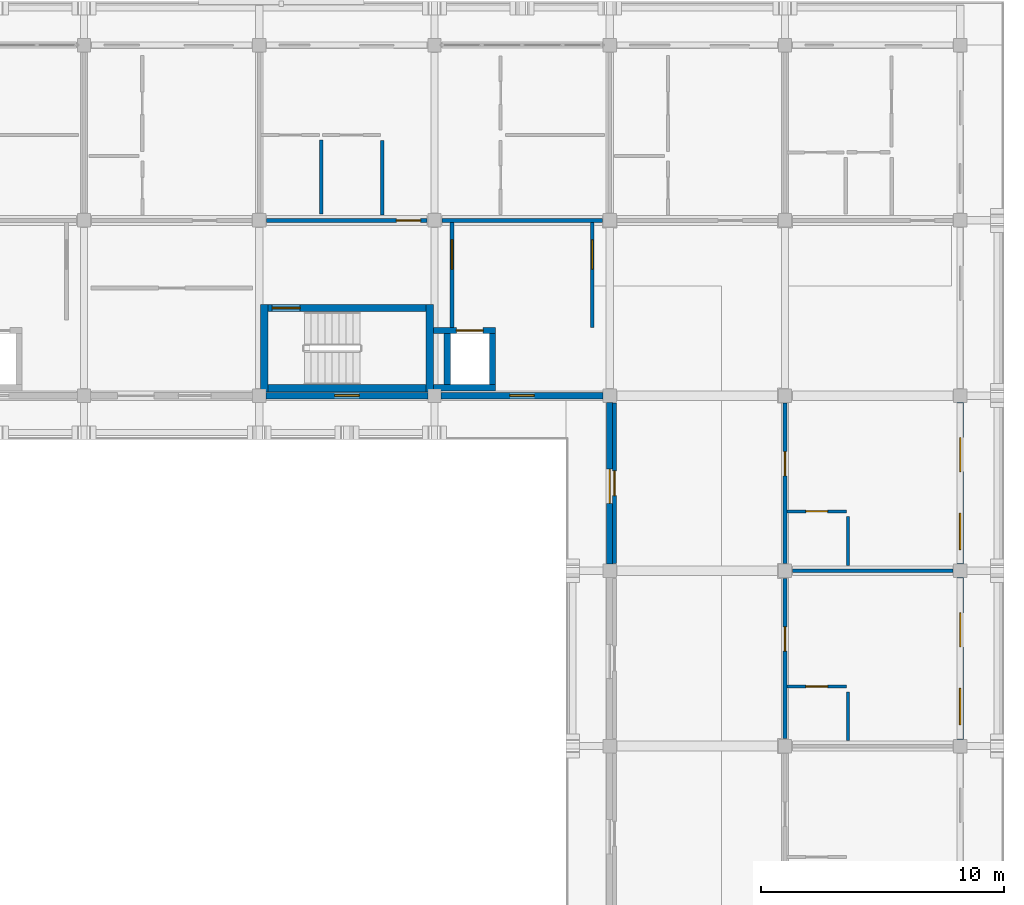
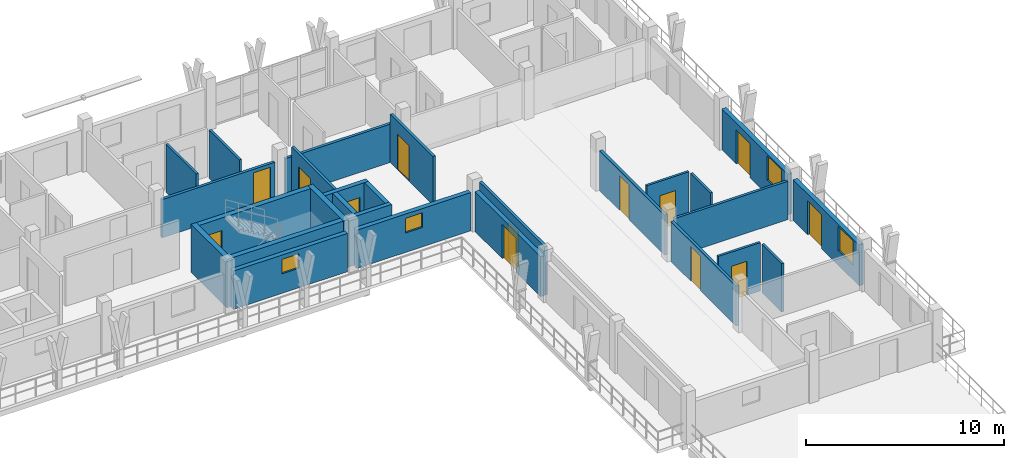
# One storey, part 51 of 73: 27 walls, 13 doors, 4 windows, 17 openings.
"""IFC4 building model written with IfcOpenShell, lengths in metres."""

from ifc_helpers import new_model, si_unit, direction, frame, frame_2d, origin, place, context, subcontext, project, spatial, rectangle, extrude, material, layer, layer_set, type_object, element, fill, save


model = new_model("IFC4")

# Units and contexts
model_context = context("Model", 3, precision=1e-05, world=origin(), true_north=direction((0.0, 1.0)))
body_context = subcontext(model_context, "Body", "Model", "MODEL_VIEW")
ifc_project = project(units=[si_unit("LENGTHUNIT", "METRE"), si_unit("AREAUNIT", "SQUARE_METRE"), si_unit("VOLUMEUNIT", "CUBIC_METRE"), si_unit("PLANEANGLEUNIT", "RADIAN"), si_unit("MASSUNIT", "GRAM", prefix="KILO")], contexts=[model_context])

# Site, building, storey
site_placement = place(None, origin())
site = spatial("IfcSite", under=ifc_project, at=site_placement, CompositionType="ELEMENT")
building_placement = place(site_placement, origin())
building = spatial("IfcBuilding", under=site, at=building_placement, Name="Suanplinth Sawtooth Commons", CompositionType="ELEMENT")
storey_placement = place(building_placement, frame((0.0, 0.0, 21.89990234375)))
storey = spatial("IfcBuildingStorey", under=building, at=storey_placement, Name="L06", CompositionType="ELEMENT", Elevation=21.89990234375)

# Wall
ifc_material_1 = material(Name="Concrete C40/50", Category="concrete")
ifc_layer_1 = layer(ifc_material_1, 0.300048828125, Name="Standard RC stair and lift core wall 300mm")
ifc_layer_set_1 = layer_set([ifc_layer_1], Name="Concrete C40/50")
wall_type_1 = type_object("IfcWallType", Name="W-CR02", PredefinedType="SHEAR", material=ifc_layer_set_1)
wall_1_placement = place(storey_placement, frame((158.75, 108.300048828125, 0.0), z_axis=(0.0, 0.0, 1.0), x_axis=(1.0, 0.0, 0.0)))
element("IfcWall", 1, at=wall_1_placement, inside=storey, type_object=wall_type_1, Name="W-L06-C-B2-STS", PredefinedType="SHEAR", context=body_context, shape_type="SweptSolid", body=[
    extrude(rectangle(XDim=6.5, YDim=0.300048828125, at=frame_2d((3.25, 0.0))), origin(), (0.0, 0.0, 1.0), 2.97998046875),
])

# Wall, opening, door
wall_2_placement = place(storey_placement, frame((158.75, 111.60009765625, 0.0), z_axis=(0.0, 0.0, 1.0), x_axis=(1.0, 0.0, 0.0)))
wall_2 = element("IfcWall", 2, at=wall_2_placement, inside=storey, type_object=wall_type_1, Name="W-L06-C-B2-STN", PredefinedType="SHEAR", context=body_context, shape_type="SweptSolid", body=[
    extrude(rectangle(XDim=6.5, YDim=0.300048828125, at=frame_2d((3.25, 0.0))), origin(), (0.0, 0.0, 1.0), 2.97998046875),
])
opening_1_placement = place(wall_2_placement, frame((0.179931640625, 0.0, 0.0)))
opening_1 = element("IfcOpeningElement", 3, at=opening_1_placement, cuts=wall_2, Name="Opening FD0248", PredefinedType="OPENING", context=body_context, shape_type="SweptSolid", body=[
    extrude(rectangle(XDim=1.14990234375, YDim=2.199951171875, at=frame_2d((0.574951171875, 1.10009765625))), frame((0.0, 0.1650390625, 0.0), z_axis=(0.0, -1.0, 0.0), x_axis=(1.0, 0.0, 0.0)), (0.0, 0.0, 1.0), 0.329833984375),
])
ifc_material_2 = material(Name="Teak hardwood fire-rated door assembly", Category="wood")
door_type_1 = type_object("IfcDoorType", Name="FD-01", OperationType="NOTDEFINED", PredefinedType="DOOR", material=ifc_material_2)
door_1_placement = place(opening_1_placement, frame((1.14990234375, 0.0, 0.0), z_axis=(0.0, 0.0, 1.0), x_axis=(-1.0, 0.0, 0.0)))
door_1 = element("IfcDoor", 4, at=door_1_placement, inside=storey, type_object=door_type_1, Name="Exit Stair Fire Door FD0248", OperationType="SINGLE_SWING_RIGHT", OverallHeight=2.199951171875, OverallWidth=1.14990234375, PredefinedType="DOOR", context=body_context, shape_type="SweptSolid", body=[
    extrude(rectangle(XDim=1.14990234375, YDim=2.199951171875, at=frame_2d((0.574951171875, 1.10009765625))), frame((0.0, 0.02490234375, 0.0), z_axis=(0.0, -1.0, 0.0), x_axis=(1.0, 0.0, 0.0)), (0.0, 0.0, 1.0), 0.050048828125),
])
fill(opening_1, door_1)

# Walls
for number, where, z_axis, x_axis, name in (
    (5, (158.60009765625, 108.14990234375, 0.0), (0.0, 0.0, 1.0), (0.0, 1.0, 0.0), "W-L06-C-B2-STW"),
    (6, (165.39990234375, 108.14990234375, 0.0), (0.0, 0.0, 1.0), (0.0, 1.0, 0.0), "W-L06-C-B2-STE"),
):
    element("IfcWall", number, at=place(storey_placement, frame(where, z_axis=z_axis, x_axis=x_axis)), inside=storey, type_object=wall_type_1, Name=name, PredefinedType="SHEAR", context=body_context, shape_type="SweptSolid", body=[
        extrude(rectangle(XDim=3.60009765625, YDim=0.300048828125, at=frame_2d((1.800048828125, 0.0))), origin(), (0.0, 0.0, 1.0), 2.97998046875),
    ])

# Wall, opening, window
ifc_material_3 = material(Name="Precast concrete C40/50", Category="concrete")
ifc_layer_2 = layer(ifc_material_3, 0.260009765625, Name="Insulated precast courtyard facade wall 260mm")
ifc_layer_set_2 = layer_set([ifc_layer_2], Name="Precast concrete C40/50")
wall_type_2 = type_object("IfcWallType", Name="W-EX02", PredefinedType="ELEMENTEDWALL", material=ifc_layer_set_2)
wall_3_placement = place(storey_placement, frame((158.675048828125, 108.0, 0.0), z_axis=(0.0, 0.0, 1.0), x_axis=(1.0, 0.0, 0.0)))
wall_3 = element("IfcWall", 7, at=wall_3_placement, inside=storey, type_object=wall_type_2, Name="Facade Wall W-L06-B-S-22-15", PredefinedType="ELEMENTEDWALL", context=body_context, shape_type="SweptSolid", body=[
    extrude(rectangle(XDim=6.64990234375, YDim=0.260009765625, at=frame_2d((3.324951171875, 0.0))), origin(), (0.0, 0.0, 1.0), 2.364990234375),
])
opening_2_placement = place(wall_3_placement, frame((2.824951171875, 0.0, 1.199951171875)))
opening_2 = element("IfcOpeningElement", 8, at=opening_2_placement, cuts=wall_3, Name="Opening W0592", PredefinedType="OPENING", context=body_context, shape_type="SweptSolid", body=[
    extrude(rectangle(XDim=1.0, YDim=0.89990234375, at=frame_2d((0.5, 0.449951171875))), frame((0.0, 0.14501953125, 0.0), z_axis=(0.0, -1.0, 0.0), x_axis=(1.0, 0.0, 0.0)), (0.0, 0.0, 1.0), 0.289794921875),
])
ifc_material_4 = material(Name="Thermally broken aluminium and low-E double glazing", Category="aluminium")
window_type_1 = type_object("IfcWindowType", Name="WN-12", PartitioningType="SINGLE_PANEL", PredefinedType="WINDOW", material=ifc_material_4)
window_1_placement = place(opening_2_placement, origin())
window_1 = element("IfcWindow", 9, at=window_1_placement, inside=storey, type_object=window_type_1, Name="Core Daylight Window L06-B-22-15", OverallHeight=0.89990234375, OverallWidth=1.0, PartitioningType="SINGLE_PANEL", PredefinedType="WINDOW", context=body_context, shape_type="SweptSolid", body=[
    extrude(rectangle(XDim=1.0, YDim=0.89990234375, at=frame_2d((0.5, 0.449951171875))), frame((0.0, 0.030029296875, 0.0), z_axis=(0.0, -1.0, 0.0), x_axis=(1.0, 0.0, 0.0)), (0.0, 0.0, 1.0), 0.06005859375),
])
fill(opening_2, window_1)

wall_4_placement = place(storey_placement, frame((165.875, 108.0, 0.0), z_axis=(0.0, 0.0, 1.0), x_axis=(1.0, 0.0, 0.0)))
wall_4 = element("IfcWall", 10, at=wall_4_placement, inside=storey, type_object=wall_type_2, Name="Facade Wall W-L06-B-S-23-15", PredefinedType="ELEMENTEDWALL", context=body_context, shape_type="SweptSolid", body=[
    extrude(rectangle(XDim=6.64990234375, YDim=0.260009765625, at=frame_2d((3.324951171875, 0.0))), origin(), (0.0, 0.0, 1.0), 2.364990234375),
])
opening_3_placement = place(wall_4_placement, frame((2.824951171875, 0.0, 1.199951171875)))
opening_3 = element("IfcOpeningElement", 11, at=opening_3_placement, cuts=wall_4, Name="Opening W0594", PredefinedType="OPENING", context=body_context, shape_type="SweptSolid", body=[
    extrude(rectangle(XDim=1.0, YDim=0.89990234375, at=frame_2d((0.5, 0.449951171875))), frame((0.0, 0.14501953125, 0.0), z_axis=(0.0, -1.0, 0.0), x_axis=(1.0, 0.0, 0.0)), (0.0, 0.0, 1.0), 0.289794921875),
])
window_2_placement = place(opening_3_placement, origin())
window_2 = element("IfcWindow", 12, at=window_2_placement, inside=storey, type_object=window_type_1, Name="Core Daylight Window L06-B-23-15", OverallHeight=0.89990234375, OverallWidth=1.0, PartitioningType="SINGLE_PANEL", PredefinedType="WINDOW", context=body_context, shape_type="SweptSolid", body=[
    extrude(rectangle(XDim=1.0, YDim=0.89990234375, at=frame_2d((0.5, 0.449951171875))), frame((0.0, 0.030029296875, 0.0), z_axis=(0.0, -1.0, 0.0), x_axis=(1.0, 0.0, 0.0)), (0.0, 0.0, 1.0), 0.06005859375),
])
fill(opening_3, window_2)

# Wall, opening, door
wall_5_placement = place(storey_placement, frame((172.800048828125, 101.074951171875, 0.0), z_axis=(0.0, 0.0, 1.0), x_axis=(0.0, 1.0, 0.0)))
wall_5 = element("IfcWall", 13, at=wall_5_placement, inside=storey, type_object=wall_type_2, Name="Facade Wall W-L06-B-W-24-14", PredefinedType="ELEMENTEDWALL", context=body_context, shape_type="SweptSolid", body=[
    extrude(rectangle(XDim=6.650146484375, YDim=0.260009765625, at=frame_2d((3.3251953125, 0.0))), origin(), (0.0, 0.0, 1.0), 2.465087890625),
])
opening_4_placement = place(wall_5_placement, frame((2.5, 0.0, 0.0)))
opening_4 = element("IfcOpeningElement", 14, at=opening_4_placement, cuts=wall_5, Name="Opening ED0508", PredefinedType="OPENING", context=body_context, shape_type="SweptSolid", body=[
    extrude(rectangle(XDim=1.39990234375, YDim=2.10009765625, at=frame_2d((0.699951171875, 1.050048828125))), frame((0.0, 0.14501953125, 0.0), z_axis=(0.0, -1.0, 0.0), x_axis=(1.0, 0.0, 0.0)), (0.0, 0.0, 1.0), 0.289794921875),
])
ifc_material_5 = material(Name="Anodized aluminium and low-E glass", Category="aluminium")
door_type_2 = type_object("IfcDoorType", Name="SD-07", OperationType="SLIDING_TO_RIGHT", PredefinedType="DOOR", material=ifc_material_5)
door_2_placement = place(opening_4_placement, frame((1.39990234375, 0.0, 0.0), z_axis=(0.0, 0.0, 1.0), x_axis=(-1.0, 0.0, 0.0)))
door_2 = element("IfcDoor", 15, at=door_2_placement, inside=storey, type_object=door_type_2, Name="Courtyard Veranda Studio Balcony Door L06-B-14", OperationType="SLIDING_TO_RIGHT", OverallHeight=2.10009765625, OverallWidth=1.39990234375, PredefinedType="DOOR", context=body_context, shape_type="SweptSolid", body=[
    extrude(rectangle(XDim=1.39990234375, YDim=2.10009765625, at=frame_2d((0.699951171875, 1.050048828125))), frame((0.0, 0.02490234375, 0.0), z_axis=(0.0, -1.0, 0.0), x_axis=(1.0, 0.0, 0.0)), (0.0, 0.0, 1.0), 0.050048828125),
])
fill(opening_4, door_2)

# Wall, openings, door, window
wall_6_placement = place(storey_placement, frame((187.199951171875, 93.875, 0.0), z_axis=(0.0, 0.0, 1.0), x_axis=(0.0, 1.0, 0.0)))
wall_6 = element("IfcWall", 16, at=wall_6_placement, inside=storey, type_object=wall_type_2, Name="Facade Wall W-L06-B-E-25-13", PredefinedType="ELEMENTEDWALL", context=body_context, shape_type="SweptSolid", body=[
    extrude(rectangle(XDim=6.64990234375, YDim=0.260009765625, at=frame_2d((3.324951171875, 0.0))), origin(), (0.0, 0.0, 1.0), 2.51513671875),
])
opening_5_placement = place(wall_6_placement, frame((3.800048828125, 0.0, 0.0)))
opening_5 = element("IfcOpeningElement", 17, at=opening_5_placement, cuts=wall_6, Name="Opening ED0512", PredefinedType="OPENING", context=body_context, shape_type="SweptSolid", body=[
    extrude(rectangle(XDim=1.39990234375, YDim=2.10009765625, at=frame_2d((0.699951171875, 1.050048828125))), frame((0.0, 0.14501953125, 0.0), z_axis=(0.0, -1.0, 0.0), x_axis=(1.0, 0.0, 0.0)), (0.0, 0.0, 1.0), 0.289794921875),
])
opening_6_placement = place(wall_6_placement, frame((0.60009765625, 0.0, 0.905029296875)))
opening_6 = element("IfcOpeningElement", 18, at=opening_6_placement, cuts=wall_6, Name="Opening W0598", PredefinedType="OPENING", context=body_context, shape_type="SweptSolid", body=[
    extrude(rectangle(XDim=1.5, YDim=1.5, at=frame_2d((0.75, 0.75))), frame((0.0, 0.14501953125, 0.0), z_axis=(0.0, -1.0, 0.0), x_axis=(1.0, 0.0, 0.0)), (0.0, 0.0, 1.0), 0.289794921875),
])
door_3_placement = place(opening_5_placement, frame((1.39990234375, 0.0, 0.0), z_axis=(0.0, 0.0, 1.0), x_axis=(-1.0, 0.0, 0.0)))
door_3 = element("IfcDoor", 19, at=door_3_placement, inside=storey, type_object=door_type_2, Name="Wing Balcony Sliding Door L06-B-13", OperationType="SLIDING_TO_RIGHT", OverallHeight=2.10009765625, OverallWidth=1.39990234375, PredefinedType="DOOR", context=body_context, shape_type="SweptSolid", body=[
    extrude(rectangle(XDim=1.39990234375, YDim=2.10009765625, at=frame_2d((0.699951171875, 1.050048828125))), frame((0.0, 0.02490234375, 0.0), z_axis=(0.0, -1.0, 0.0), x_axis=(1.0, 0.0, 0.0)), (0.0, 0.0, 1.0), 0.050048828125),
])
fill(opening_5, door_3)
window_type_2 = type_object("IfcWindowType", Name="WN-02", PartitioningType="DOUBLE_PANEL_VERTICAL", PredefinedType="WINDOW", material=ifc_material_4)
window_3_placement = place(opening_6_placement, origin())
window_3 = element("IfcWindow", 20, at=window_3_placement, inside=storey, type_object=window_type_2, Name="Wing Window L06-B-13", OverallHeight=1.5, OverallWidth=1.5, PartitioningType="DOUBLE_PANEL_VERTICAL", PredefinedType="WINDOW", context=body_context, shape_type="SweptSolid", body=[
    extrude(rectangle(XDim=1.5, YDim=1.5, at=frame_2d((0.75, 0.75))), frame((0.0, 0.030029296875, 0.0), z_axis=(0.0, -1.0, 0.0), x_axis=(1.0, 0.0, 0.0)), (0.0, 0.0, 1.0), 0.06005859375),
])
fill(opening_6, window_3)

wall_7_placement = place(storey_placement, frame((187.199951171875, 101.074951171875, 0.0), z_axis=(0.0, 0.0, 1.0), x_axis=(0.0, 1.0, 0.0)))
wall_7 = element("IfcWall", 21, at=wall_7_placement, inside=storey, type_object=wall_type_2, Name="Facade Wall W-L06-B-E-25-14", PredefinedType="ELEMENTEDWALL", context=body_context, shape_type="SweptSolid", body=[
    extrude(rectangle(XDim=6.650146484375, YDim=0.260009765625, at=frame_2d((3.3251953125, 0.0))), origin(), (0.0, 0.0, 1.0), 2.51513671875),
])
opening_7_placement = place(wall_7_placement, frame((3.800048828125, 0.0, 0.0)))
opening_7 = element("IfcOpeningElement", 22, at=opening_7_placement, cuts=wall_7, Name="Opening ED0513", PredefinedType="OPENING", context=body_context, shape_type="SweptSolid", body=[
    extrude(rectangle(XDim=1.39990234375, YDim=2.10009765625, at=frame_2d((0.699951171875, 1.050048828125))), frame((0.0, 0.14501953125, 0.0), z_axis=(0.0, -1.0, 0.0), x_axis=(1.0, 0.0, 0.0)), (0.0, 0.0, 1.0), 0.289794921875),
])
opening_8_placement = place(wall_7_placement, frame((0.60009765625, 0.0, 0.905029296875)))
opening_8 = element("IfcOpeningElement", 23, at=opening_8_placement, cuts=wall_7, Name="Opening W0599", PredefinedType="OPENING", context=body_context, shape_type="SweptSolid", body=[
    extrude(rectangle(XDim=1.5, YDim=1.5, at=frame_2d((0.75, 0.75))), frame((0.0, 0.14501953125, 0.0), z_axis=(0.0, -1.0, 0.0), x_axis=(1.0, 0.0, 0.0)), (0.0, 0.0, 1.0), 0.289794921875),
])
door_4_placement = place(opening_7_placement, frame((1.39990234375, 0.0, 0.0), z_axis=(0.0, 0.0, 1.0), x_axis=(-1.0, 0.0, 0.0)))
door_4 = element("IfcDoor", 24, at=door_4_placement, inside=storey, type_object=door_type_2, Name="Wing Balcony Sliding Door L06-B-14", OperationType="SLIDING_TO_RIGHT", OverallHeight=2.10009765625, OverallWidth=1.39990234375, PredefinedType="DOOR", context=body_context, shape_type="SweptSolid", body=[
    extrude(rectangle(XDim=1.39990234375, YDim=2.10009765625, at=frame_2d((0.699951171875, 1.050048828125))), frame((0.0, 0.02490234375, 0.0), z_axis=(0.0, -1.0, 0.0), x_axis=(1.0, 0.0, 0.0)), (0.0, 0.0, 1.0), 0.050048828125),
])
fill(opening_7, door_4)
window_4_placement = place(opening_8_placement, origin())
window_4 = element("IfcWindow", 25, at=window_4_placement, inside=storey, type_object=window_type_2, Name="Wing Window L06-B-14", OverallHeight=1.5, OverallWidth=1.5, PartitioningType="DOUBLE_PANEL_VERTICAL", PredefinedType="WINDOW", context=body_context, shape_type="SweptSolid", body=[
    extrude(rectangle(XDim=1.5, YDim=1.5, at=frame_2d((0.75, 0.75))), frame((0.0, 0.030029296875, 0.0), z_axis=(0.0, -1.0, 0.0), x_axis=(1.0, 0.0, 0.0)), (0.0, 0.0, 1.0), 0.06005859375),
])
fill(opening_8, window_4)

# Wall, opening, door
ifc_layer_3 = layer(ifc_material_3, 0.159912109375, Name="Fire-rated corridor and lobby wall 160mm")
ifc_layer_set_3 = layer_set([ifc_layer_3], Name="Precast concrete C40/50")
wall_type_3 = type_object("IfcWallType", Name="W-FW01", PredefinedType="PARTITIONING", material=ifc_layer_set_3)
wall_8_placement = place(storey_placement, frame((166.320068359375, 110.800048828125, 0.0), z_axis=(0.0, 0.0, 1.0), x_axis=(0.0, 1.0, 0.0)))
wall_8 = element("IfcWall", 26, at=wall_8_placement, inside=storey, type_object=wall_type_3, Name="W-L06-C-B2-LOB-W", PredefinedType="PARTITIONING", context=body_context, shape_type="SweptSolid", body=[
    extrude(rectangle(XDim=4.320068359375, YDim=0.159912109375, at=frame_2d((2.16015625, 0.0))), origin(), (0.0, 0.0, 1.0), 2.97998046875),
])
opening_9_placement = place(wall_8_placement, frame((2.39990234375, 0.0, 0.0)))
opening_9 = element("IfcOpeningElement", 27, at=opening_9_placement, cuts=wall_8, Name="Opening FD0249", PredefinedType="OPENING", context=body_context, shape_type="SweptSolid", body=[
    extrude(rectangle(XDim=1.199951171875, YDim=2.199951171875, at=frame_2d((0.60009765625, 1.10009765625))), frame((0.0, 0.0947265625, 0.0), z_axis=(0.0, -1.0, 0.0), x_axis=(1.0, 0.0, 0.0)), (0.0, 0.0, 1.0), 0.189697265625),
])
door_type_3 = type_object("IfcDoorType", Name="FD-02", OperationType="NOTDEFINED", PredefinedType="DOOR", material=ifc_material_2)
door_5_placement = place(opening_9_placement, origin())
door_5 = element("IfcDoor", 28, at=door_5_placement, inside=storey, type_object=door_type_3, Name="Lobby Fire Door FD0249", OperationType="SINGLE_SWING_LEFT", OverallHeight=2.199951171875, OverallWidth=1.199951171875, PredefinedType="DOOR", context=body_context, shape_type="SweptSolid", body=[
    extrude(rectangle(XDim=1.199951171875, YDim=2.199951171875, at=frame_2d((0.60009765625, 1.10009765625))), frame((0.0, 0.02490234375, 0.0), z_axis=(0.0, -1.0, 0.0), x_axis=(1.0, 0.0, 0.0)), (0.0, 0.0, 1.0), 0.050048828125),
])
fill(opening_9, door_5)

wall_9_placement = place(storey_placement, frame((172.080078125, 110.800048828125, 0.0), z_axis=(0.0, 0.0, 1.0), x_axis=(0.0, 1.0, 0.0)))
wall_9 = element("IfcWall", 29, at=wall_9_placement, inside=storey, type_object=wall_type_3, Name="W-L06-C-B2-LOB-E", PredefinedType="PARTITIONING", context=body_context, shape_type="SweptSolid", body=[
    extrude(rectangle(XDim=4.320068359375, YDim=0.159912109375, at=frame_2d((2.16015625, 0.0))), origin(), (0.0, 0.0, 1.0), 2.97998046875),
])
opening_10_placement = place(wall_9_placement, frame((2.39990234375, 0.0, 0.0)))
opening_10 = element("IfcOpeningElement", 30, at=opening_10_placement, cuts=wall_9, Name="Opening FD0250", PredefinedType="OPENING", context=body_context, shape_type="SweptSolid", body=[
    extrude(rectangle(XDim=1.199951171875, YDim=2.199951171875, at=frame_2d((0.60009765625, 1.10009765625))), frame((0.0, 0.0947265625, 0.0), z_axis=(0.0, -1.0, 0.0), x_axis=(1.0, 0.0, 0.0)), (0.0, 0.0, 1.0), 0.189697265625),
])
door_6_placement = place(opening_10_placement, frame((1.199951171875, 0.0, 0.0), z_axis=(0.0, 0.0, 1.0), x_axis=(-1.0, 0.0, 0.0)))
door_6 = element("IfcDoor", 31, at=door_6_placement, inside=storey, type_object=door_type_3, Name="Lobby Fire Door FD0250", OperationType="SINGLE_SWING_RIGHT", OverallHeight=2.199951171875, OverallWidth=1.199951171875, PredefinedType="DOOR", context=body_context, shape_type="SweptSolid", body=[
    extrude(rectangle(XDim=1.199951171875, YDim=2.199951171875, at=frame_2d((0.60009765625, 1.10009765625))), frame((0.0, 0.02490234375, 0.0), z_axis=(0.0, -1.0, 0.0), x_axis=(1.0, 0.0, 0.0)), (0.0, 0.0, 1.0), 0.050048828125),
])
fill(opening_10, door_6)

wall_10_placement = place(storey_placement, frame((158.705078125, 115.199951171875, 0.0), z_axis=(0.0, 0.0, 1.0), x_axis=(1.0, 0.0, 0.0)))
wall_10 = element("IfcWall", 32, at=wall_10_placement, inside=storey, type_object=wall_type_3, Name="W-B-L06-U04-COR-S1", PredefinedType="PARTITIONING", context=body_context, shape_type="SweptSolid", body=[
    extrude(rectangle(XDim=6.58984375, YDim=0.159912109375, at=frame_2d((3.294921875, 0.0))), origin(), (0.0, 0.0, 1.0), 2.364990234375),
])
opening_11_placement = place(wall_10_placement, frame((5.324951171875, 0.0, 0.0)))
opening_11 = element("IfcOpeningElement", 33, at=opening_11_placement, cuts=wall_10, Name="Opening FD1415", PredefinedType="OPENING", context=body_context, shape_type="SweptSolid", body=[
    extrude(rectangle(XDim=1.0, YDim=2.14990234375, at=frame_2d((0.5, 1.074951171875))), frame((0.0, 0.0947265625, 0.0), z_axis=(0.0, -1.0, 0.0), x_axis=(1.0, 0.0, 0.0)), (0.0, 0.0, 1.0), 0.189697265625),
])
door_type_4 = type_object("IfcDoorType", Name="FD-03", OperationType="NOTDEFINED", PredefinedType="DOOR", material=ifc_material_2)
door_7_placement = place(opening_11_placement, origin())
door_7 = element("IfcDoor", 34, at=door_7_placement, inside=storey, type_object=door_type_4, Name="Unit Entrance Door FD1415", OperationType="SINGLE_SWING_LEFT", OverallHeight=2.14990234375, OverallWidth=1.0, PredefinedType="DOOR", context=body_context, shape_type="SweptSolid", body=[
    extrude(rectangle(XDim=1.0, YDim=2.14990234375, at=frame_2d((0.5, 1.074951171875))), frame((0.0, 0.02490234375, 0.0), z_axis=(0.0, -1.0, 0.0), x_axis=(1.0, 0.0, 0.0)), (0.0, 0.0, 1.0), 0.050048828125),
])
fill(opening_11, door_7)

# Wall
wall_11_placement = place(storey_placement, frame((165.905029296875, 115.199951171875, 0.0), z_axis=(0.0, 0.0, 1.0), x_axis=(1.0, 0.0, 0.0)))
element("IfcWall", 35, at=wall_11_placement, inside=storey, type_object=wall_type_3, Name="W-B-L06-U04-COR-S2", PredefinedType="PARTITIONING", context=body_context, shape_type="SweptSolid", body=[
    extrude(rectangle(XDim=6.590087890625, YDim=0.159912109375, at=frame_2d((3.294921875, 0.0))), origin(), (0.0, 0.0, 1.0), 2.364990234375),
])

# Wall, opening, door
wall_12_placement = place(storey_placement, frame((180.0, 93.905029296875, 0.0), z_axis=(0.0, 0.0, 1.0), x_axis=(0.0, 1.0, 0.0)))
wall_12 = element("IfcWall", 36, at=wall_12_placement, inside=storey, type_object=wall_type_3, Name="W-B-L06-L02-COR", PredefinedType="PARTITIONING", context=body_context, shape_type="SweptSolid", body=[
    extrude(rectangle(XDim=6.590087890625, YDim=0.159912109375, at=frame_2d((3.294921875, 0.0))), origin(), (0.0, 0.0, 1.0), 2.465087890625),
])
opening_12_placement = place(wall_12_placement, frame((3.594970703125, 0.0, 0.0)))
opening_12 = element("IfcOpeningElement", 37, at=opening_12_placement, cuts=wall_12, Name="Opening FD1432", PredefinedType="OPENING", context=body_context, shape_type="SweptSolid", body=[
    extrude(rectangle(XDim=1.0, YDim=2.14990234375, at=frame_2d((0.5, 1.074951171875))), frame((0.0, 0.0947265625, 0.0), z_axis=(0.0, -1.0, 0.0), x_axis=(1.0, 0.0, 0.0)), (0.0, 0.0, 1.0), 0.189697265625),
])
door_8_placement = place(opening_12_placement, frame((1.0, 0.0, 0.0), z_axis=(0.0, 0.0, 1.0), x_axis=(-1.0, 0.0, 0.0)))
door_8 = element("IfcDoor", 38, at=door_8_placement, inside=storey, type_object=door_type_4, Name="Wing Unit Entrance Door FD1432", OperationType="SINGLE_SWING_RIGHT", OverallHeight=2.14990234375, OverallWidth=1.0, PredefinedType="DOOR", context=body_context, shape_type="SweptSolid", body=[
    extrude(rectangle(XDim=1.0, YDim=2.14990234375, at=frame_2d((0.5, 1.074951171875))), frame((0.0, 0.02490234375, 0.0), z_axis=(0.0, -1.0, 0.0), x_axis=(1.0, 0.0, 0.0)), (0.0, 0.0, 1.0), 0.050048828125),
])
fill(opening_12, door_8)

wall_13_placement = place(storey_placement, frame((180.0, 101.10498046875, 0.0), z_axis=(0.0, 0.0, 1.0), x_axis=(0.0, 1.0, 0.0)))
wall_13 = element("IfcWall", 39, at=wall_13_placement, inside=storey, type_object=wall_type_3, Name="W-B-L06-L03-COR", PredefinedType="PARTITIONING", context=body_context, shape_type="SweptSolid", body=[
    extrude(rectangle(XDim=6.590087890625, YDim=0.159912109375, at=frame_2d((3.294921875, 0.0))), origin(), (0.0, 0.0, 1.0), 2.465087890625),
])
opening_13_placement = place(wall_13_placement, frame((3.594970703125, 0.0, 0.0)))
opening_13 = element("IfcOpeningElement", 40, at=opening_13_placement, cuts=wall_13, Name="Opening FD1435", PredefinedType="OPENING", context=body_context, shape_type="SweptSolid", body=[
    extrude(rectangle(XDim=1.0, YDim=2.14990234375, at=frame_2d((0.5, 1.074951171875))), frame((0.0, 0.0947265625, 0.0), z_axis=(0.0, -1.0, 0.0), x_axis=(1.0, 0.0, 0.0)), (0.0, 0.0, 1.0), 0.189697265625),
])
door_9_placement = place(opening_13_placement, frame((1.0, 0.0, 0.0), z_axis=(0.0, 0.0, 1.0), x_axis=(-1.0, 0.0, 0.0)))
door_9 = element("IfcDoor", 41, at=door_9_placement, inside=storey, type_object=door_type_4, Name="Wing Unit Entrance Door FD1435", OperationType="SINGLE_SWING_LEFT", OverallHeight=2.14990234375, OverallWidth=1.0, PredefinedType="DOOR", context=body_context, shape_type="SweptSolid", body=[
    extrude(rectangle(XDim=1.0, YDim=2.14990234375, at=frame_2d((0.5, 1.074951171875))), frame((0.0, 0.02490234375, 0.0), z_axis=(0.0, -1.0, 0.0), x_axis=(1.0, 0.0, 0.0)), (0.0, 0.0, 1.0), 0.050048828125),
])
fill(opening_13, door_9)

wall_14_placement = place(storey_placement, frame((173.0, 101.10498046875, 0.0), z_axis=(0.0, 0.0, 1.0), x_axis=(0.0, 1.0, 0.0)))
wall_14 = element("IfcWall", 42, at=wall_14_placement, inside=storey, type_object=wall_type_3, Name="W-B-L06-LEGCOURTROOM-34-COR", PredefinedType="PARTITIONING", context=body_context, shape_type="SweptSolid", body=[
    extrude(rectangle(XDim=6.590087890625, YDim=0.159912109375, at=frame_2d((3.294921875, 0.0))), origin(), (0.0, 0.0, 1.0), 2.97998046875),
])
opening_14_placement = place(wall_14_placement, frame((2.784912109375, 0.0, 0.0)))
opening_14 = element("IfcOpeningElement", 43, at=opening_14_placement, cuts=wall_14, Name="Opening D1437", PredefinedType="OPENING", context=body_context, shape_type="SweptSolid", body=[
    extrude(rectangle(XDim=1.02001953125, YDim=2.179931640625, at=frame_2d((0.510009765625, 1.08984375))), frame((0.0, 0.0947265625, 0.0), z_axis=(0.0, -1.0, 0.0), x_axis=(1.0, 0.0, 0.0)), (0.0, 0.0, 1.0), 0.189697265625),
])
ifc_material_6 = material(Name="Teak hardwood", Category="wood")
door_type_5 = type_object("IfcDoorType", Name="D-16", OperationType="NOTDEFINED", PredefinedType="DOOR", material=ifc_material_6)
door_10_placement = place(opening_14_placement, origin())
door_10 = element("IfcDoor", 44, at=door_10_placement, inside=storey, type_object=door_type_5, Name="Veranda Studio Door D1437", OperationType="SINGLE_SWING_LEFT", OverallHeight=2.179931640625, OverallWidth=1.02001953125, PredefinedType="DOOR", context=body_context, shape_type="SweptSolid", body=[
    extrude(rectangle(XDim=1.02001953125, YDim=2.179931640625, at=frame_2d((0.510009765625, 1.08984375))), frame((0.0, 0.02490234375, 0.0), z_axis=(0.0, -1.0, 0.0), x_axis=(1.0, 0.0, 0.0)), (0.0, 0.0, 1.0), 0.050048828125),
])
fill(opening_14, door_10)

# Walls
ifc_layer_4 = layer(ifc_material_3, 0.14990234375, Name="Acoustic precast party demising wall 150mm")
ifc_layer_set_4 = layer_set([ifc_layer_4], Name="Precast concrete C40/50")
wall_type_4 = type_object("IfcWallType", Name="W-FW02", PredefinedType="PARTITIONING", material=ifc_layer_set_4)
wall_15_placement = place(storey_placement, frame((180.304931640625, 100.800048828125, 0.0), z_axis=(0.0, 0.0, 1.0), x_axis=(1.0, 0.0, 0.0)))
element("IfcWall", 45, at=wall_15_placement, inside=storey, type_object=wall_type_4, Name="W-B-L06-L02-PTY", PredefinedType="PARTITIONING", context=body_context, shape_type="SweptSolid", body=[
    extrude(rectangle(XDim=6.590087890625, YDim=0.14990234375, at=frame_2d((3.294921875, 0.0))), origin(), (0.0, 0.0, 1.0), 2.364990234375),
])
ifc_material_7 = material(Name="Gypsum plasterboard on steel stud", Category="steel")
ifc_layer_5 = layer(ifc_material_7, 0.139892578125, Name="Fire-rated kitchen partition 140mm")
ifc_layer_set_5 = layer_set([ifc_layer_5], Name="Gypsum plasterboard on steel stud")
wall_type_5 = type_object("IfcWallType", Name="W-PT01", PredefinedType="PARTITIONING", material=ifc_layer_set_5)
wall_16_placement = place(storey_placement, frame((163.449951171875, 115.429931640625, 0.0), z_axis=(0.0, 0.0, 1.0), x_axis=(0.0, 1.0, 0.0)))
element("IfcWall", 46, at=wall_16_placement, inside=storey, type_object=wall_type_5, Name="W-B-L06-U04-KIT2", PredefinedType="PARTITIONING", context=body_context, shape_type="SweptSolid", body=[
    extrude(rectangle(XDim=3.06005859375, YDim=0.139892578125, at=frame_2d((1.530029296875, 0.0))), origin(), (0.0, 0.0, 1.0), 2.97998046875),
])
ifc_layer_6 = layer(ifc_material_7, 0.1298828125, Name="Moisture-resistant bathroom partition 130mm")
ifc_layer_set_6 = layer_set([ifc_layer_6], Name="Gypsum plasterboard on steel stud")
wall_type_6 = type_object("IfcWallType", Name="W-PT02", PredefinedType="PARTITIONING", material=ifc_layer_set_6)
wall_17_placement = place(storey_placement, frame((160.945068359375, 115.4599609375, 0.0), z_axis=(0.0, 0.0, 1.0), x_axis=(0.0, 1.0, 0.0)))
element("IfcWall", 47, at=wall_17_placement, inside=storey, type_object=wall_type_6, Name="W-B-L06-U04-BTH2", PredefinedType="PARTITIONING", context=body_context, shape_type="SweptSolid", body=[
    extrude(rectangle(XDim=3.0400390625, YDim=0.1298828125, at=frame_2d((1.52001953125, 0.0))), origin(), (0.0, 0.0, 1.0), 2.97998046875),
])

# Wall, opening, door
wall_18_placement = place(storey_placement, frame((180.080078125, 96.044921875, 0.0), z_axis=(0.0, 0.0, 1.0), x_axis=(1.0, 0.0, 0.0)))
wall_18 = element("IfcWall", 48, at=wall_18_placement, inside=storey, type_object=wall_type_6, Name="W-B-L06-L02-BTH1", PredefinedType="PARTITIONING", context=body_context, shape_type="SweptSolid", body=[
    extrude(rectangle(XDim=2.449951171875, YDim=0.1298828125, at=frame_2d((1.22509765625, 0.0))), origin(), (0.0, 0.0, 1.0), 2.97998046875),
])
opening_15_placement = place(wall_18_placement, frame((0.77490234375, 0.0, 0.0)))
opening_15 = element("IfcOpeningElement", 49, at=opening_15_placement, cuts=wall_18, Name="Opening D1433", PredefinedType="OPENING", context=body_context, shape_type="SweptSolid", body=[
    extrude(rectangle(XDim=0.89990234375, YDim=2.10009765625, at=frame_2d((0.449951171875, 1.050048828125))), frame((0.0, 0.079833984375, 0.0), z_axis=(0.0, -1.0, 0.0), x_axis=(1.0, 0.0, 0.0)), (0.0, 0.0, 1.0), 0.15966796875),
])
door_type_6 = type_object("IfcDoorType", Name="D-01", OperationType="NOTDEFINED", PredefinedType="DOOR", material=ifc_material_6)
door_11_placement = place(opening_15_placement, frame((0.89990234375, 0.0, 0.0), z_axis=(0.0, 0.0, 1.0), x_axis=(-1.0, 0.0, 0.0)))
door_11 = element("IfcDoor", 50, at=door_11_placement, inside=storey, type_object=door_type_6, Name="Bathroom Door D1433", OperationType="SINGLE_SWING_LEFT", OverallHeight=2.10009765625, OverallWidth=0.89990234375, PredefinedType="DOOR", context=body_context, shape_type="SweptSolid", body=[
    extrude(rectangle(XDim=0.89990234375, YDim=2.10009765625, at=frame_2d((0.449951171875, 1.050048828125))), frame((0.0, 0.02490234375, 0.0), z_axis=(0.0, -1.0, 0.0), x_axis=(1.0, 0.0, 0.0)), (0.0, 0.0, 1.0), 0.050048828125),
])
fill(opening_15, door_11)

# Wall
wall_19_placement = place(storey_placement, frame((182.594970703125, 93.830078125, 0.0), z_axis=(0.0, 0.0, 1.0), x_axis=(0.0, 1.0, 0.0)))
element("IfcWall", 51, at=wall_19_placement, inside=storey, type_object=wall_type_6, Name="W-B-L06-L02-BTH2", PredefinedType="PARTITIONING", context=body_context, shape_type="SweptSolid", body=[
    extrude(rectangle(XDim=2.0, YDim=0.1298828125, at=frame_2d((1.0, 0.0))), origin(), (0.0, 0.0, 1.0), 2.97998046875),
])

# Wall, opening, door
wall_20_placement = place(storey_placement, frame((180.080078125, 103.2451171875, 0.0), z_axis=(0.0, 0.0, 1.0), x_axis=(1.0, 0.0, 0.0)))
wall_20 = element("IfcWall", 52, at=wall_20_placement, inside=storey, type_object=wall_type_6, Name="W-B-L06-L03-BTH1", PredefinedType="PARTITIONING", context=body_context, shape_type="SweptSolid", body=[
    extrude(rectangle(XDim=2.449951171875, YDim=0.1298828125, at=frame_2d((1.22509765625, 0.0))), origin(), (0.0, 0.0, 1.0), 2.97998046875),
])
opening_16_placement = place(wall_20_placement, frame((0.77490234375, 0.0, 0.0)))
opening_16 = element("IfcOpeningElement", 53, at=opening_16_placement, cuts=wall_20, Name="Opening D1436", PredefinedType="OPENING", context=body_context, shape_type="SweptSolid", body=[
    extrude(rectangle(XDim=0.89990234375, YDim=2.10009765625, at=frame_2d((0.449951171875, 1.050048828125))), frame((0.0, 0.079833984375, 0.0), z_axis=(0.0, -1.0, 0.0), x_axis=(1.0, 0.0, 0.0)), (0.0, 0.0, 1.0), 0.15966796875),
])
door_12_placement = place(opening_16_placement, frame((0.89990234375, 0.0, 0.0), z_axis=(0.0, 0.0, 1.0), x_axis=(-1.0, 0.0, 0.0)))
door_12 = element("IfcDoor", 54, at=door_12_placement, inside=storey, type_object=door_type_6, Name="Bathroom Door D1436", OperationType="SINGLE_SWING_RIGHT", OverallHeight=2.10009765625, OverallWidth=0.89990234375, PredefinedType="DOOR", context=body_context, shape_type="SweptSolid", body=[
    extrude(rectangle(XDim=0.89990234375, YDim=2.10009765625, at=frame_2d((0.449951171875, 1.050048828125))), frame((0.0, 0.02490234375, 0.0), z_axis=(0.0, -1.0, 0.0), x_axis=(1.0, 0.0, 0.0)), (0.0, 0.0, 1.0), 0.050048828125),
])
fill(opening_16, door_12)

# Walls
wall_21_placement = place(storey_placement, frame((182.594970703125, 101.030029296875, 0.0), z_axis=(0.0, 0.0, 1.0), x_axis=(0.0, 1.0, 0.0)))
element("IfcWall", 55, at=wall_21_placement, inside=storey, type_object=wall_type_6, Name="W-B-L06-L03-BTH2", PredefinedType="PARTITIONING", context=body_context, shape_type="SweptSolid", body=[
    extrude(rectangle(XDim=2.0, YDim=0.1298828125, at=frame_2d((1.0, 0.0))), origin(), (0.0, 0.0, 1.0), 2.97998046875),
])
ifc_layer_7 = layer(ifc_material_3, 0.25, Name="Precast structural shear wall 250mm")
ifc_layer_set_7 = layer_set([ifc_layer_7], Name="Precast concrete C40/50")
wall_type_7 = type_object("IfcWallType", Name="W-SH01", PredefinedType="SHEAR", material=ifc_layer_set_7)
wall_22_placement = place(storey_placement, frame((165.550048828125, 108.324951171875, 0.0), z_axis=(0.0, 0.0, 1.0), x_axis=(1.0, 0.0, 0.0)))
element("IfcWall", 56, at=wall_22_placement, inside=storey, type_object=wall_type_7, Name="W-L06-LF4-S", PredefinedType="SHEAR", context=body_context, shape_type="SweptSolid", body=[
    extrude(rectangle(XDim=2.550048828125, YDim=0.25, at=frame_2d((1.27490234375, 0.0))), origin(), (0.0, 0.0, 1.0), 2.97998046875),
])

# Wall, opening, door
wall_23_placement = place(storey_placement, frame((165.550048828125, 110.675048828125, 0.0), z_axis=(0.0, 0.0, 1.0), x_axis=(1.0, 0.0, 0.0)))
wall_23 = element("IfcWall", 57, at=wall_23_placement, inside=storey, type_object=wall_type_7, Name="W-L06-LF4-N", PredefinedType="SHEAR", context=body_context, shape_type="SweptSolid", body=[
    extrude(rectangle(XDim=2.550048828125, YDim=0.25, at=frame_2d((1.27490234375, 0.0))), origin(), (0.0, 0.0, 1.0), 2.97998046875),
])
opening_17_placement = place(wall_23_placement, frame((0.949951171875, 0.0, 0.0)))
opening_17 = element("IfcOpeningElement", 58, at=opening_17_placement, cuts=wall_23, Name="Opening LD0251", PredefinedType="OPENING", context=body_context, shape_type="SweptSolid", body=[
    extrude(rectangle(XDim=1.10009765625, YDim=2.14990234375, at=frame_2d((0.550048828125, 1.074951171875))), frame((0.0, 0.139892578125, 0.0), z_axis=(0.0, -1.0, 0.0), x_axis=(1.0, 0.0, 0.0)), (0.0, 0.0, 1.0), 0.27978515625),
])
ifc_material_8 = material(Name="Stainless steel Grade 304", Category="steel")
door_type_7 = type_object("IfcDoorType", Name="LD-01", OperationType="SLIDING_TO_LEFT", PredefinedType="DOOR", material=ifc_material_8)
door_13_placement = place(opening_17_placement, origin())
door_13 = element("IfcDoor", 59, at=door_13_placement, inside=storey, type_object=door_type_7, Name="Lift Landing Sliding Door LF4 L06", OperationType="SLIDING_TO_LEFT", OverallHeight=2.14990234375, OverallWidth=1.10009765625, PredefinedType="DOOR", context=body_context, shape_type="SweptSolid", body=[
    extrude(rectangle(XDim=1.10009765625, YDim=2.14990234375, at=frame_2d((0.550048828125, 1.074951171875))), frame((0.0, 0.02490234375, 0.0), z_axis=(0.0, -1.0, 0.0), x_axis=(1.0, 0.0, 0.0)), (0.0, 0.0, 1.0), 0.050048828125),
])
fill(opening_17, door_13)

# Walls
for number, where, z_axis, x_axis, name in (
    (60, (166.125, 108.449951171875, 0.0), (0.0, 0.0, 1.0), (0.0, 1.0, 0.0), "W-L06-LF4-W"),
    (61, (167.97509765625, 108.449951171875, 0.0), (0.0, 0.0, 1.0), (0.0, 1.0, 0.0), "W-L06-LF4-E"),
):
    element("IfcWall", number, at=place(storey_placement, frame(where, z_axis=z_axis, x_axis=x_axis)), inside=storey, type_object=wall_type_7, Name=name, PredefinedType="SHEAR", context=body_context, shape_type="SweptSolid", body=[
        extrude(rectangle(XDim=2.10009765625, YDim=0.25, at=frame_2d((1.050048828125, 0.0))), origin(), (0.0, 0.0, 1.0), 2.97998046875),
    ])

save(model, "model.ifc")
